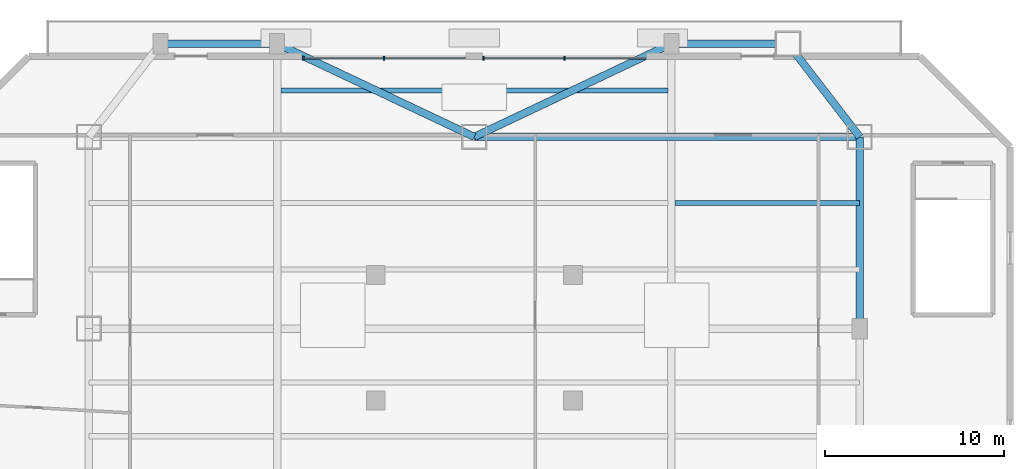
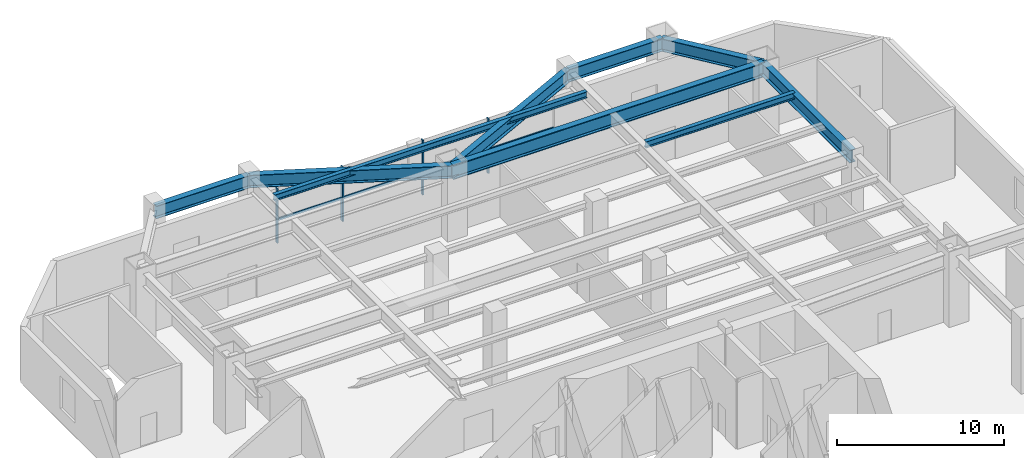
# One storey, part 2 of 8: 9 beams, 8 members, 2 elements without a shape of their own.
"""IFC4 building model written with IfcOpenShell, lengths in metres."""

import ifcopenshell
import ifcopenshell.guid

model = None  # the IFC model being written
_history = None  # IfcOwnerHistory: only IFC2X3 demands one
_inside = {}  # id of a spatial element -> (the spatial element, [elements in it])
_under = {}  # id of a project, library or spatial element -> (it, [spatial elements below it])
_declared = {}  # id of a project -> (the project, [libraries it declares])
_typed = {}  # id of a type object -> (the type object, [elements of that type])
_made_of = {}  # id of a material, layer set ... -> (it, [elements and type objects made of it])


def new_model(schema):
    """Start an empty IFC model of exactly this schema.

    Asked for "IFC4X3", IfcOpenShell would pick the latest addendum, in which some entities
    have other attributes; the version numbers below select the first issue.
    IFC2X3 requires an IfcOwnerHistory on every rooted entity: one is made here for all.
    """
    global model, _history
    if schema == "IFC4X3":
        model = ifcopenshell.file(schema_version=(4, 3, 0, 0))
    else:
        model = ifcopenshell.file(schema=schema)
    _inside.clear()
    _under.clear()
    _declared.clear()
    _typed.clear()
    _made_of.clear()
    _history = None
    if model.schema == "IFC2X3":
        org = make("IfcOrganization", Name="unknown")
        user = make(
            "IfcPersonAndOrganization",
            ThePerson=make("IfcPerson", FamilyName="unknown"),
            TheOrganization=org,
        )
        app = make(
            "IfcApplication",
            ApplicationDeveloper=org,
            Version="unknown",
            ApplicationFullName="unknown",
            ApplicationIdentifier="unknown",
        )
        _history = make(
            "IfcOwnerHistory",
            OwningUser=user,
            OwningApplication=app,
            ChangeAction="ADDED",
            CreationDate=0,
        )
    return model


def make(cls, **values):
    """One entity of the class cls with the attributes given. An attribute that is None is left unset."""
    return model.create_entity(
        cls, **{name: value for name, value in values.items() if value is not None}
    )


def rooted(cls, **values):
    """An entity with a GlobalId (a new one), such as an element, a storey or a relation."""
    return make(cls, GlobalId=ifcopenshell.guid.new(), OwnerHistory=_history, **values)


def si_unit(unit_type, name, prefix=None):
    """IfcSIUnit, for example si_unit("LENGTHUNIT", "METRE", prefix="MILLI")."""
    return make("IfcSIUnit", UnitType=unit_type, Prefix=prefix, Name=name)


def assignment(units):
    """IfcUnitAssignment: the units of a project."""
    return None if units is None else make("IfcUnitAssignment", Units=units)


def point(xyz):
    """IfcCartesianPoint."""
    return None if xyz is None else make("IfcCartesianPoint", Coordinates=xyz)


def direction(xyz):
    """IfcDirection."""
    return None if xyz is None else make("IfcDirection", DirectionRatios=xyz)


def frame(location, z_axis=None, x_axis=None):
    """IfcAxis2Placement3D, a coordinate frame: its origin and axes. An axis left out is left unset."""
    return make(
        "IfcAxis2Placement3D",
        Location=point(location),
        Axis=direction(z_axis),
        RefDirection=direction(x_axis),
    )


def frame_2d(location, x_axis=None):
    """IfcAxis2Placement2D, a coordinate frame in the plane: its origin and x axis."""
    return make(
        "IfcAxis2Placement2D", Location=point(location), RefDirection=direction(x_axis)
    )


def origin():
    """The frame at (0, 0, 0) with its axes left unset."""
    return frame((0.0, 0.0, 0.0))


def origin_2d():
    """The frame at (0, 0) in the plane with its x axis left unset."""
    return frame_2d((0.0, 0.0))


def place(relative_to, where):
    """IfcLocalPlacement: puts the frame where relative to a parent placement (None: the world)."""
    return make(
        "IfcLocalPlacement", PlacementRelTo=relative_to, RelativePlacement=where
    )


def context(
    kind, dimensions, precision=None, world=None, true_north=None, identifier=None
):
    """IfcGeometricRepresentationContext, for example the 3D "Model" context."""
    return make(
        "IfcGeometricRepresentationContext",
        ContextIdentifier=identifier,
        ContextType=kind,
        CoordinateSpaceDimension=dimensions,
        Precision=precision,
        WorldCoordinateSystem=world,
        TrueNorth=true_north,
    )


def subcontext(parent, identifier, kind, view, scale=None):
    """IfcGeometricRepresentationSubContext, for example "Body" below "Model"."""
    return make(
        "IfcGeometricRepresentationSubContext",
        ContextIdentifier=identifier,
        ContextType=kind,
        ParentContext=parent,
        TargetScale=scale,
        TargetView=view,
    )


def project(units=None, contexts=None):
    """IfcProject with its units and contexts."""
    return rooted(
        "IfcProject",
        Name="project",
        RepresentationContexts=contexts,
        UnitsInContext=assignment(units),
    )


def spatial(cls, under=None, at=None, **own):
    """A site, building, storey or space (cls), placed at a placement, below another one or the project."""
    s = rooted(cls, ObjectPlacement=at, **own)
    if under is not None:
        _under.setdefault(under.id(), (under, []))[1].append(s)
    return s


def profile(cls, at=None, kind="AREA", **sizes):
    """A parametric profile (cls). Its sizes go by their IFC names, for example OverallWidth=200.0."""
    return make(cls, ProfileType=kind, Position=at, **sizes)


def rectangle(**sizes):
    """IfcRectangleProfileDef."""
    return profile("IfcRectangleProfileDef", **sizes)


def i_section(**sizes):
    """IfcIShapeProfileDef."""
    return profile("IfcIShapeProfileDef", **sizes)


def extrude(swept, where, along, depth):
    """IfcExtrudedAreaSolid: the profile swept, set in the frame where, extruded along a direction by depth."""
    return make(
        "IfcExtrudedAreaSolid",
        SweptArea=swept,
        Position=where,
        ExtrudedDirection=direction(along),
        Depth=depth,
    )


def shape(context_of_items, identifier, shape_type, items):
    """IfcShapeRepresentation: the items that make up one representation, for example the "Body"."""
    return make(
        "IfcShapeRepresentation",
        ContextOfItems=context_of_items,
        RepresentationIdentifier=identifier,
        RepresentationType=shape_type,
        Items=items,
    )


def source(mapping_origin, context_of_items, identifier, shape_type, items):
    """IfcRepresentationMap: a shape defined once, which mapped items show again and again."""
    return make(
        "IfcRepresentationMap",
        MappingOrigin=mapping_origin,
        MappedRepresentation=shape(context_of_items, identifier, shape_type, items),
    )


def transform(
    local_origin,
    x_axis=None,
    y_axis=None,
    z_axis=None,
    scale=None,
    scale2=None,
    scale3=None,
    uniform=True,
):
    """IfcCartesianTransformationOperator3D, or its non-uniform kind. x_axis, y_axis, z_axis: its Axis1, 2, 3."""
    if uniform:
        return make(
            "IfcCartesianTransformationOperator3D",
            Axis1=direction(x_axis),
            Axis2=direction(y_axis),
            LocalOrigin=point(local_origin),
            Scale=scale,
            Axis3=direction(z_axis),
        )
    return make(
        "IfcCartesianTransformationOperator3DnonUniform",
        Axis1=direction(x_axis),
        Axis2=direction(y_axis),
        LocalOrigin=point(local_origin),
        Scale=scale,
        Axis3=direction(z_axis),
        Scale2=scale2,
        Scale3=scale3,
    )


def mapped(mapping_source, mapping_target):
    """IfcMappedItem: shows the shape of a source again, moved by a transform."""
    return make(
        "IfcMappedItem", MappingSource=mapping_source, MappingTarget=mapping_target
    )


def material(Name=None, Category=None):
    """IfcMaterial."""
    return make("IfcMaterial", Name=Name, Category=Category)


def material_profile(
    of_material, cross_section, Name=None, Category=None, Priority=None
):
    """IfcMaterialProfile: a cross section and its material."""
    return make(
        "IfcMaterialProfile",
        Name=Name,
        Material=of_material,
        Profile=cross_section,
        Priority=Priority,
        Category=Category,
    )


def profile_set(profiles, Name=None, composite=None):
    """IfcMaterialProfileSet."""
    return make(
        "IfcMaterialProfileSet",
        Name=Name,
        MaterialProfiles=profiles,
        CompositeProfile=composite,
    )


def made_of(thing, what):
    """Note that an element or type object is made of a material, layer set ...; save() writes the relation."""
    if what is not None:
        _made_of.setdefault(what.id(), (what, []))[1].append(thing)
    return thing


def type_object(cls, material=None, **own):
    """A type object (cls), such as IfcWallType, which elements share."""
    return made_of(rooted(cls, **own), material)


def type_shapes(of_type, sources):
    """Give a type object the sources (RepresentationMaps) that its elements show as mapped items."""
    of_type.RepresentationMaps = sources


def element(
    cls,
    number,
    at=None,
    inside=None,
    cuts=None,
    type_object=None,
    material=None,
    context=None,
    identifier="Body",
    shape_type=None,
    held_by="IfcProductDefinitionShape",
    body=None,
    shapes=None,
    **own,
):
    """One element of the class cls, such as IfcWall. Its Tag is "e" and its number.

    at: its placement. inside: the storey or other place that contains it. cuts: it is an
    opening in that element (IfcRelVoidsElement). A single representation is given by context,
    identifier, shape_type and body (its items); several are given by shapes. held_by: the class
    of the entity that holds the representations. save() writes the other relations.
    """
    e = rooted(cls, Tag="e%d" % number, ObjectPlacement=at, **own)
    if body is not None:
        shapes = [shape(context, identifier, shape_type, body)]
    if shapes is not None:
        e.Representation = make(held_by, Representations=shapes)
    if inside is not None:
        _inside.setdefault(inside.id(), (inside, []))[1].append(e)
    if cuts is not None:
        rooted(
            "IfcRelVoidsElement", RelatingBuildingElement=cuts, RelatedOpeningElement=e
        )
    if type_object is not None:
        _typed.setdefault(type_object.id(), (type_object, []))[1].append(e)
    return made_of(e, material)


def aggregate(whole, parts):
    """IfcRelAggregates: a whole, such as a stair, and the parts it consists of."""
    return rooted("IfcRelAggregates", RelatingObject=whole, RelatedObjects=parts)


def save(model, path):
    """Write the relations noted so far, then the file.

    IfcRelAggregates (storeys below a building ...), IfcRelContainedInSpatialStructure (elements
    in a storey), IfcRelDefinesByType, IfcRelAssociatesMaterial and IfcRelDeclares: one each for
    every whole, place, type object, material and project.
    """
    for whole, parts in _under.values():
        aggregate(whole, parts)
    for where, things in _inside.values():
        rooted(
            "IfcRelContainedInSpatialStructure",
            RelatedElements=things,
            RelatingStructure=where,
        )
    for kind, things in _typed.values():
        rooted("IfcRelDefinesByType", RelatedObjects=things, RelatingType=kind)
    for what, things in _made_of.values():
        rooted("IfcRelAssociatesMaterial", RelatedObjects=things, RelatingMaterial=what)
    for by, libraries in _declared.values():
        rooted("IfcRelDeclares", RelatingContext=by, RelatedDefinitions=libraries)
    model.write(path)


model = new_model("IFC4")

# Units and contexts
model_context = context("Model", 3, precision=1e-05, world=origin(), true_north=direction((0.0, 1.0)))
body_context = subcontext(model_context, "Body", "Model", "MODEL_VIEW")
ifc_project = project(units=[si_unit("LENGTHUNIT", "METRE"), si_unit("AREAUNIT", "SQUARE_METRE"), si_unit("VOLUMEUNIT", "CUBIC_METRE"), si_unit("PLANEANGLEUNIT", "RADIAN"), si_unit("MASSUNIT", "GRAM", prefix="KILO")], contexts=[model_context])

# Site, building, storey
site_placement = place(None, origin())
site = spatial("IfcSite", under=ifc_project, at=site_placement, CompositionType="ELEMENT")
building_placement = place(site_placement, origin())
building = spatial("IfcBuilding", under=site, at=building_placement, Name="Varnakhor Terracotta Tower", CompositionType="ELEMENT")
storey_placement = place(building_placement, frame((0.0, 0.0, 16.5)))
storey = spatial("IfcBuildingStorey", under=building, at=storey_placement, Name="L03", CompositionType="ELEMENT", Elevation=16.5)

# Beams
ifc_material_1 = material(Name="Steel S355", Category="steel")
ifc_material_profile_1 = material_profile(ifc_material_1, i_section(OverallWidth=0.41796875, OverallDepth=0.927001953125, WebThickness=0.01904296875, FlangeThickness=0.031982421875, FilletRadius=0.01806640625, at=origin_2d()), Name="W36X231")
ifc_profile_set_1 = profile_set([ifc_material_profile_1], Name="Steel S355")
beam_type_1 = type_object("IfcBeamType", Name="BM-W36X231", PredefinedType="BEAM", material=ifc_profile_set_1)
shared_shape_1 = source(origin(), body_context, "Body", "SweptSolid", [
    extrude(i_section(OverallWidth=0.41796875, OverallDepth=0.927001953125, WebThickness=0.01904296875, FlangeThickness=0.031982421875, FilletRadius=0.01806640625, at=origin_2d()), origin(), (0.0, 0.0, 1.0), 10.699951171875),
])
beam_1_placement = place(storey_placement, frame((21.5, 39.199951171875, 4.58642578125), z_axis=(0.0, -1.0, 0.0), x_axis=(1.0, 0.0, 0.0)))
element("IfcBeam", 1, at=beam_1_placement, inside=storey, type_object=beam_type_1, Name="L03 Podium Ring Girder 11", PredefinedType="BEAM", context=body_context, shape_type="MappedRepresentation", body=[
    mapped(shared_shape_1, transform((0.0, 0.0, 0.0), scale=1.0)),
])
shared_shape_2 = source(origin(), body_context, "Body", "SweptSolid", [
    extrude(i_section(OverallWidth=0.41796875, OverallDepth=0.927001953125, WebThickness=0.01904296875, FlangeThickness=0.031982421875, FilletRadius=0.01806640625, at=origin_2d()), origin(), (0.0, 0.0, 1.0), 6.560546875),
])
beam_2_placement = place(storey_placement, frame((17.5, 44.39990234375, 4.58642578125), z_axis=(0.609714357737, -0.792621222255, 0.0), x_axis=(0.792621222255, 0.609714357737, 0.0)))
element("IfcBeam", 2, at=beam_2_placement, inside=storey, type_object=beam_type_1, Name="L03 Podium Ring Girder 10", PredefinedType="BEAM", context=body_context, shape_type="MappedRepresentation", body=[
    mapped(shared_shape_2, transform((0.0, 0.0, 0.0), scale=1.0)),
])
shared_shape_3 = source(origin(), body_context, "Body", "SweptSolid", [
    extrude(i_section(OverallWidth=0.41796875, OverallDepth=0.927001953125, WebThickness=0.01904296875, FlangeThickness=0.031982421875, FilletRadius=0.01806640625, at=origin_2d()), origin(), (0.0, 0.0, 1.0), 6.5),
])
for number, where, z_axis, x_axis, name in (
    (3, (-17.5, 44.39990234375, 4.58642578125), (1.0, 0.0, 0.0), (0.0, 1.0, 0.0), "L03 Podium Ring Girder 6"),
    (4, (11.0, 44.39990234375, 4.58642578125), (1.0, 0.0, 0.0), (0.0, 1.0, 0.0), "L03 Podium Ring Girder 9"),
):
    element("IfcBeam", number, at=place(storey_placement, frame(where, z_axis=z_axis, x_axis=x_axis)), inside=storey, type_object=beam_type_1, Name=name, PredefinedType="BEAM", context=body_context, shape_type="MappedRepresentation", body=[
        mapped(shared_shape_3, transform((0.0, 0.0, 0.0), scale=1.0)),
    ])
shared_shape_4 = source(origin(), body_context, "Body", "SweptSolid", [
    extrude(i_section(OverallWidth=0.41796875, OverallDepth=0.927001953125, WebThickness=0.01904296875, FlangeThickness=0.031982421875, FilletRadius=0.01806640625, at=origin_2d()), origin(), (0.0, 0.0, 1.0), 12.167236328125),
])
for number, where, z_axis, x_axis, name in (
    (5, (-11.0, 44.39990234375, 4.58642578125), (0.904073817094, -0.427376336787, 0.0), (0.427376336787, 0.904073817094, 0.0), "L03 Podium Ring Girder 7"),
    (6, (0.0, 39.199951171875, 4.58642578125), (0.904073817094, 0.427376336787, 0.0), (-0.427376336787, 0.904073817094, 0.0), "L03 Podium Ring Girder 8"),
):
    element("IfcBeam", number, at=place(storey_placement, frame(where, z_axis=z_axis, x_axis=x_axis)), inside=storey, type_object=beam_type_1, Name=name, PredefinedType="BEAM", context=body_context, shape_type="MappedRepresentation", body=[
        mapped(shared_shape_4, transform((0.0, 0.0, 0.0), scale=1.0)),
    ])
ifc_material_2 = material(Name="Steel S460", Category="steel")
ifc_material_profile_2 = material_profile(ifc_material_2, i_section(OverallWidth=0.419921875, OverallDepth=1.0400390625, WebThickness=0.031005859375, FlangeThickness=0.055908203125, FilletRadius=0.01806640625, at=origin_2d()), Name="W40X397")
ifc_profile_set_2 = profile_set([ifc_material_profile_2], Name="Steel S460")
beam_type_2 = type_object("IfcBeamType", Name="BM-W40X397", PredefinedType="BEAM", material=ifc_profile_set_2)
shared_shape_5 = source(origin(), body_context, "Body", "SweptSolid", [
    extrude(i_section(OverallWidth=0.419921875, OverallDepth=1.0400390625, WebThickness=0.031005859375, FlangeThickness=0.055908203125, FilletRadius=0.01806640625, at=origin_2d()), origin(), (0.0, 0.0, 1.0), 21.5),
])
beam_3_placement = place(storey_placement, frame((0.0, 39.199951171875, 4.530029296875), z_axis=(1.0, 0.0, 0.0), x_axis=(0.0, 1.0, 0.0)))
element("IfcBeam", 7, at=beam_3_placement, inside=storey, type_object=beam_type_2, Name="L03 Podium Primary Girder GN3", PredefinedType="BEAM", context=body_context, shape_type="MappedRepresentation", body=[
    mapped(shared_shape_5, transform((0.0, 0.0, 0.0), scale=1.0)),
])
ifc_material_profile_3 = material_profile(ifc_material_1, i_section(OverallWidth=0.280029296875, OverallDepth=0.462890625, WebThickness=0.010986328125, FlangeThickness=0.01708984375, FilletRadius=0.01806640625, at=origin_2d()), Name="W18X76")
ifc_profile_set_3 = profile_set([ifc_material_profile_3], Name="Steel S355")
beam_type_3 = type_object("IfcBeamType", Name="JST-W18X76", PredefinedType="JOIST", material=ifc_profile_set_3)
shared_shape_6 = source(origin(), body_context, "Body", "SweptSolid", [
    extrude(i_section(OverallWidth=0.280029296875, OverallDepth=0.462890625, WebThickness=0.010986328125, FlangeThickness=0.01708984375, FilletRadius=0.01806640625, at=origin_2d()), origin(), (0.0, 0.0, 1.0), 10.2939453125),
])
type_shapes(beam_type_3, [shared_shape_6])
beam_4_placement = place(storey_placement, frame((11.2060546875, 35.5, 4.818603515625), z_axis=(1.0, 0.0, 0.0), x_axis=(0.0, 1.0, 0.0)))
element("IfcBeam", 8, at=beam_4_placement, inside=storey, type_object=beam_type_3, Name="L03 Podium Joist 5E", PredefinedType="JOIST", context=body_context, shape_type="MappedRepresentation", body=[
    mapped(shared_shape_6, transform((0.0, 0.0, 0.0), scale=1.0)),
])
shared_shape_7 = source(origin(), body_context, "Body", "SweptSolid", [
    extrude(i_section(OverallWidth=0.280029296875, OverallDepth=0.462890625, WebThickness=0.010986328125, FlangeThickness=0.01708984375, FilletRadius=0.01806640625, at=origin_2d()), origin(), (0.0, 0.0, 1.0), 21.587890625),
])
beam_5_placement = place(storey_placement, frame((-10.7939453125, 41.800048828125, 4.818603515625), z_axis=(1.0, 0.0, 0.0), x_axis=(0.0, 1.0, 0.0)))
element("IfcBeam", 9, at=beam_5_placement, inside=storey, type_object=beam_type_3, Name="L03 Podium Joist 6C", PredefinedType="JOIST", context=body_context, shape_type="MappedRepresentation", body=[
    mapped(shared_shape_7, transform((0.0, 0.0, 0.0), scale=1.0)),
])

# Curtain wall, member
ifc_material_3 = material(Name="Anodised Aluminium Curtain Wall System", Category="aluminium")
curtain_wall_type = type_object("IfcCurtainWallType", Name="CW-SYS-PODIUM", PredefinedType="NOTDEFINED", material=ifc_material_3)
curtain_wall_1_placement = place(storey_placement, origin())
curtain_wall_1 = element("IfcCurtainWall", 10, at=curtain_wall_1_placement, inside=storey, type_object=curtain_wall_type, Name="L03 North West Foyer Curtain Wall", PredefinedType="NOTDEFINED")
ifc_material_4 = material(Name="Anodised Aluminium 6063-T6", Category="aluminium")
ifc_material_profile_4 = material_profile(ifc_material_4, rectangle(XDim=0.0849609375, YDim=0.199951171875, at=origin_2d()), Name="ALU TRANSOM 85x200")
ifc_profile_set_4 = profile_set([ifc_material_profile_4], Name="Anodised Aluminium 6063-T6")
member_type_1 = type_object("IfcMemberType", Name="CWT-01", PredefinedType="USERDEFINED", material=ifc_profile_set_4)
shared_shape_8 = source(origin(), body_context, "Body", "SweptSolid", [
    extrude(rectangle(XDim=0.0849609375, YDim=0.199951171875, at=origin_2d()), origin(), (0.0, 0.0, 1.0), 4.51513671875),
])
type_shapes(member_type_1, [shared_shape_8])
member_1_placement = place(storey_placement, frame((-9.5400390625, 43.580078125, 1.67578125), z_axis=(1.0, 0.0, 0.0), x_axis=(0.0, 1.0, 0.0)))
member_1 = element("IfcMember", 11, at=member_1_placement, type_object=member_type_1, Name="L03 North West Foyer Curtain Wall Transom 1", ObjectType="TRANSOM", PredefinedType="USERDEFINED", context=body_context, shape_type="MappedRepresentation", body=[
    mapped(shared_shape_8, transform((0.0, 0.0, 0.0), scale=1.0)),
])

curtain_wall_2_placement = place(storey_placement, origin())
curtain_wall_2 = element("IfcCurtainWall", 12, at=curtain_wall_2_placement, inside=storey, type_object=curtain_wall_type, Name="L03 North East Foyer Curtain Wall", PredefinedType="NOTDEFINED")
member_2_placement = place(storey_placement, frame((5.02490234375, 43.580078125, 1.67578125), z_axis=(1.0, 0.0, 0.0), x_axis=(0.0, 1.0, 0.0)))
member_2 = element("IfcMember", 13, at=member_2_placement, type_object=member_type_1, Name="L03 North East Foyer Curtain Wall Transom 2", ObjectType="TRANSOM", PredefinedType="USERDEFINED", context=body_context, shape_type="MappedRepresentation", body=[
    mapped(shared_shape_8, transform((0.0, 0.0, 0.0), scale=1.0)),
])

# Member
shared_shape_9 = source(origin(), body_context, "Body", "SweptSolid", [
    extrude(rectangle(XDim=0.0849609375, YDim=0.199951171875, at=origin_2d()), origin(), (0.0, 0.0, 1.0), 4.514892578125),
])
member_3_placement = place(storey_placement, frame((-5.02490234375, 43.580078125, 1.67578125), z_axis=(1.0, 0.0, 0.0), x_axis=(0.0, 1.0, 0.0)))
member_3 = element("IfcMember", 14, at=member_3_placement, type_object=member_type_1, Name="L03 North West Foyer Curtain Wall Transom 2", ObjectType="TRANSOM", PredefinedType="USERDEFINED", context=body_context, shape_type="MappedRepresentation", body=[
    mapped(shared_shape_9, transform((0.0, 0.0, 0.0), scale=1.0)),
])

member_4_placement = place(storey_placement, frame((0.510009765625, 43.580078125, 1.67578125), z_axis=(1.0, 0.0, 0.0), x_axis=(0.0, 1.0, 0.0)))
member_4 = element("IfcMember", 15, at=member_4_placement, type_object=member_type_1, Name="L03 North East Foyer Curtain Wall Transom 1", ObjectType="TRANSOM", PredefinedType="USERDEFINED", context=body_context, shape_type="MappedRepresentation", body=[
    mapped(shared_shape_9, transform((0.0, 0.0, 0.0), scale=1.0)),
])

ifc_material_profile_5 = material_profile(ifc_material_4, rectangle(XDim=0.0849609375, YDim=0.219970703125, at=origin_2d()), Name="ALU MULLION 85x220")
ifc_profile_set_5 = profile_set([ifc_material_profile_5], Name="Anodised Aluminium 6063-T6")
member_type_2 = type_object("IfcMemberType", Name="CWM-01", PredefinedType="MULLION", material=ifc_profile_set_5)
shared_shape_10 = source(origin(), body_context, "Body", "SweptSolid", [
    extrude(rectangle(XDim=0.0849609375, YDim=0.219970703125, at=origin_2d()), origin(), (0.0, 0.0, 1.0), 3.989990234375),
])
member_5_placement = place(storey_placement, frame((-9.5400390625, 43.580078125, 0.0), z_axis=(0.0, 0.0, 1.0), x_axis=(1.0, 0.0, 0.0)))
member_5 = element("IfcMember", 16, at=member_5_placement, type_object=member_type_2, Name="L03 North West Foyer Curtain Wall Mullion 1", PredefinedType="MULLION", context=body_context, shape_type="MappedRepresentation", body=[
    mapped(shared_shape_10, transform((0.0, 0.0, 0.0), scale=1.0)),
])

member_6_placement = place(storey_placement, frame((-5.02490234375, 43.580078125, 0.0), z_axis=(0.0, 0.0, 1.0), x_axis=(1.0, 0.0, 0.0)))
member_6 = element("IfcMember", 17, at=member_6_placement, type_object=member_type_2, Name="L03 North West Foyer Curtain Wall Mullion 2", PredefinedType="MULLION", context=body_context, shape_type="MappedRepresentation", body=[
    mapped(shared_shape_10, transform((0.0, 0.0, 0.0), scale=1.0)),
])

aggregate(curtain_wall_1, [member_5, member_1, member_6, member_3])

member_7_placement = place(storey_placement, frame((0.510009765625, 43.580078125, 0.0), z_axis=(0.0, 0.0, 1.0), x_axis=(1.0, 0.0, 0.0)))
member_7 = element("IfcMember", 18, at=member_7_placement, type_object=member_type_2, Name="L03 North East Foyer Curtain Wall Mullion 1", PredefinedType="MULLION", context=body_context, shape_type="MappedRepresentation", body=[
    mapped(shared_shape_10, transform((0.0, 0.0, 0.0), scale=1.0)),
])

member_8_placement = place(storey_placement, frame((5.02490234375, 43.580078125, 0.0), z_axis=(0.0, 0.0, 1.0), x_axis=(1.0, 0.0, 0.0)))
member_8 = element("IfcMember", 19, at=member_8_placement, type_object=member_type_2, Name="L03 North East Foyer Curtain Wall Mullion 2", PredefinedType="MULLION", context=body_context, shape_type="MappedRepresentation", body=[
    mapped(shared_shape_10, transform((0.0, 0.0, 0.0), scale=1.0)),
])

aggregate(curtain_wall_2, [member_7, member_4, member_8, member_2])

save(model, "model.ifc")
